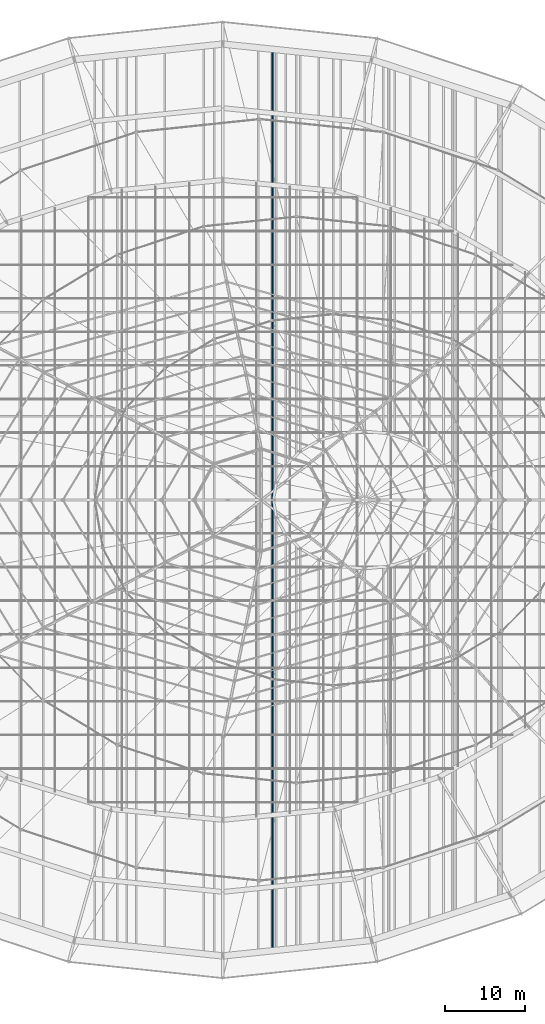
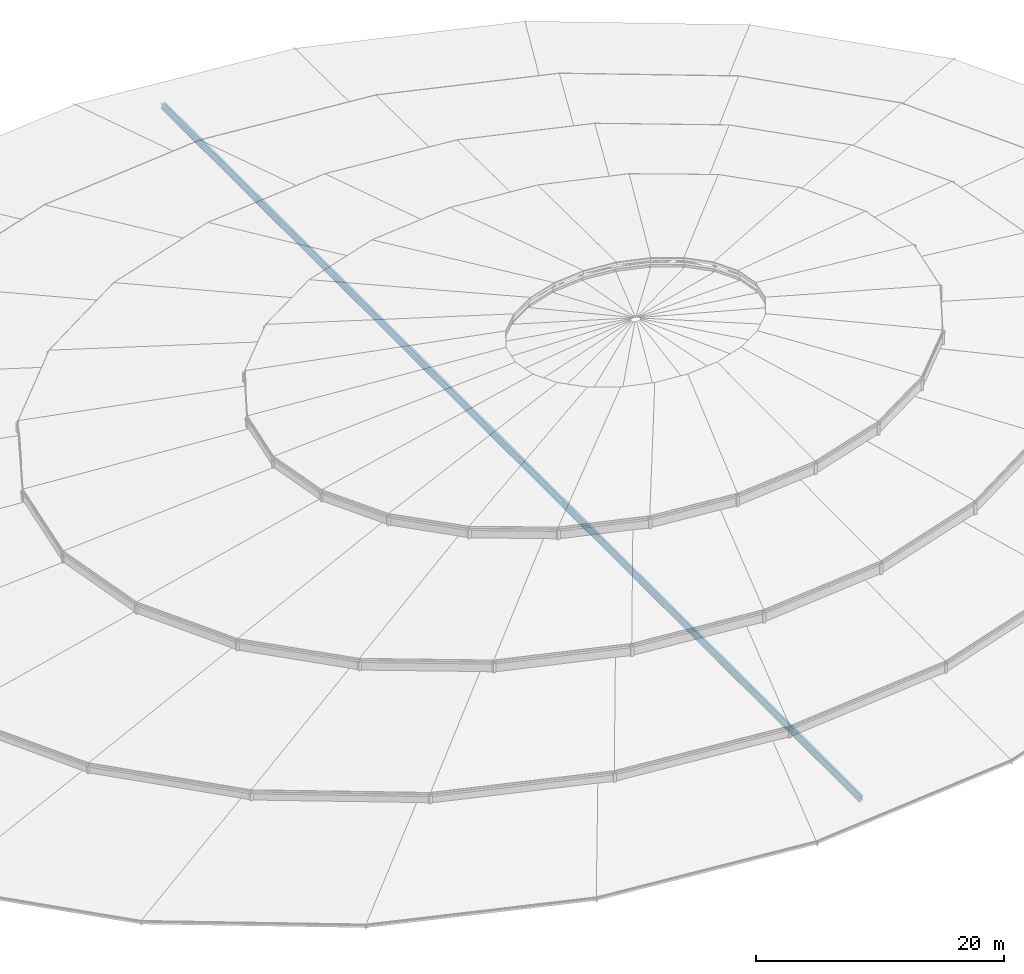
# One storey, part 62 of 184: 2 members.
"""IFC4 building model written with IfcOpenShell, lengths in metres."""

from ifc_helpers import new_model, si_unit, direction, frame, origin, origin_2d, place, context, subcontext, project, spatial, i_section, extrude, material, material_profile, profile_set, type_object, element, save


model = new_model("IFC4")

# Units and contexts
model_context = context("Model", 3, precision=1e-05, world=origin(), true_north=direction((0.0, 1.0)))
body_context = subcontext(model_context, "Body", "Model", "MODEL_VIEW")
ifc_project = project(units=[si_unit("LENGTHUNIT", "METRE"), si_unit("AREAUNIT", "SQUARE_METRE"), si_unit("VOLUMEUNIT", "CUBIC_METRE"), si_unit("PLANEANGLEUNIT", "RADIAN"), si_unit("MASSUNIT", "GRAM", prefix="KILO")], contexts=[model_context])

# Site, building, storey
site_placement = place(None, origin())
site = spatial("IfcSite", under=ifc_project, at=site_placement, CompositionType="ELEMENT")
building_placement = place(site_placement, origin())
building = spatial("IfcBuilding", under=site, at=building_placement, Name="Kalgoora Escarpment Arena", CompositionType="ELEMENT")
storey_placement = place(building_placement, frame((0.0, 0.0, 27.60009765625)))
storey = spatial("IfcBuildingStorey", under=building, at=storey_placement, Name="Roof Level", CompositionType="ELEMENT", Elevation=27.60009765625)

# Members
ifc_material = material(Name="Structural steel AS/NZS 3679 (300 MPa)", Category="steel")
ifc_material_profile = material_profile(ifc_material, i_section(OverallWidth=0.19091796875, OverallDepth=0.4599609375, WebThickness=0.010009765625, FlangeThickness=0.01611328125, at=origin_2d()))
ifc_profile_set = profile_set([ifc_material_profile], Name="Structural steel AS/NZS 3679 (300 MPa)")
member_type = type_object("IfcMemberType", Name="MEM-CARRIER-CHORD", PredefinedType="CHORD", material=ifc_profile_set)
member_1_placement = place(storey_placement, frame((98.4873046875, 7.63623046875, -0.960205078125), z_axis=(0.0, 1.0, 0.0), x_axis=(-1.0, 0.0, 0.0)))
element("IfcMember", 1, at=member_1_placement, inside=storey, type_object=member_type, Name="Petal RP4 spanning carrier chord C08", PredefinedType="CHORD", context=body_context, shape_type="SweptSolid", body=[
    extrude(i_section(OverallWidth=0.19091796875, OverallDepth=0.4599609375, WebThickness=0.010009765625, FlangeThickness=0.01611328125, at=origin_2d()), origin(), (0.0, 0.0, 1.0), 112.7275390625),
])
member_2_placement = place(storey_placement, frame((98.7099609375, 7.659423828125, -0.900146484375), z_axis=(0.0, 1.0, 0.0), x_axis=(-1.0, 0.0, 0.0)))
element("IfcMember", 2, at=member_2_placement, inside=storey, type_object=member_type, Name="Crown dome spanning carrier chord C13", PredefinedType="CHORD", context=body_context, shape_type="SweptSolid", body=[
    extrude(i_section(OverallWidth=0.19091796875, OverallDepth=0.4599609375, WebThickness=0.010009765625, FlangeThickness=0.01611328125, at=origin_2d()), origin(), (0.0, 0.0, 1.0), 112.68115234375),
])

save(model, "model.ifc")
